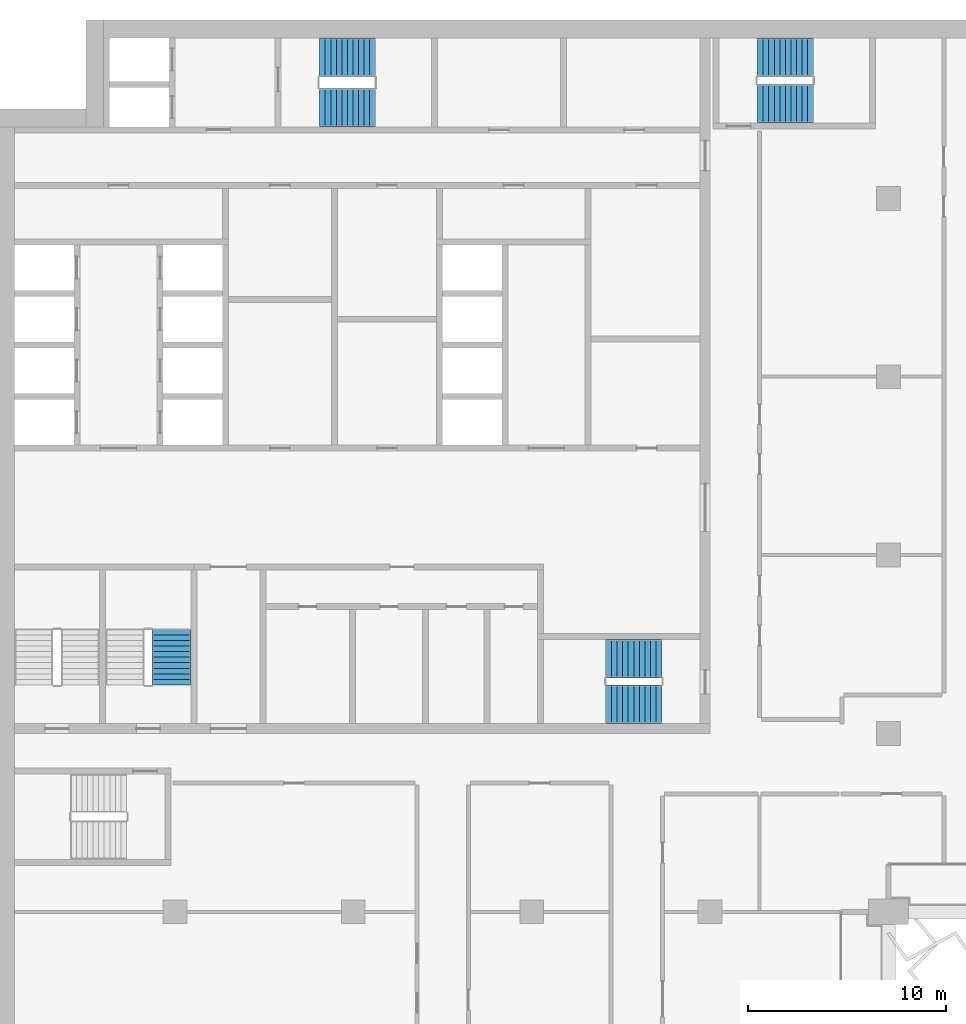
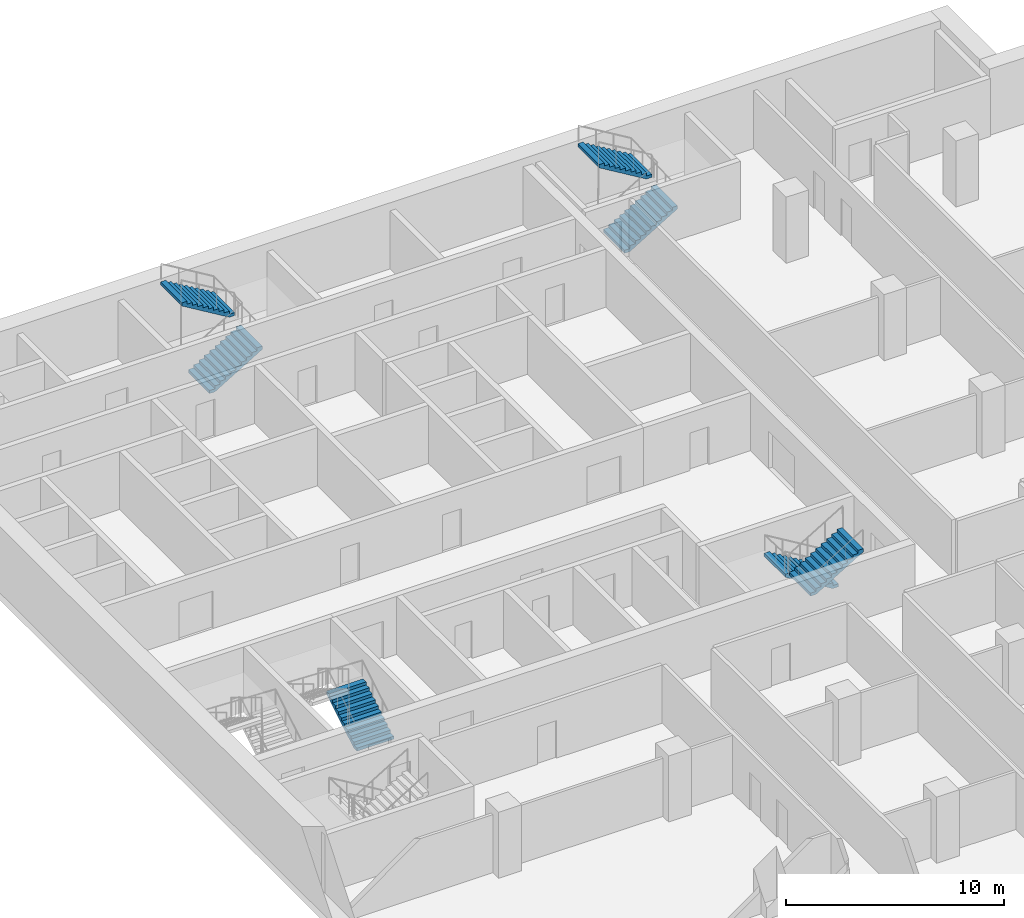
# One storey, part 17 of 22: 7 stair flights, 4 elements without a shape of their own.
"""IFC4 building model written with IfcOpenShell, lengths in metres."""

from ifc_helpers import new_model, si_unit, direction, frame, origin, place, context, subcontext, project, spatial, polyline, outline, extrude, material, type_object, element, aggregate, save


model = new_model("IFC4")

# Units and contexts
model_context = context("Model", 3, precision=1e-05, world=origin(), true_north=direction((0.0, 1.0)))
body_context = subcontext(model_context, "Body", "Model", "MODEL_VIEW")
ifc_project = project(units=[si_unit("LENGTHUNIT", "METRE"), si_unit("AREAUNIT", "SQUARE_METRE"), si_unit("VOLUMEUNIT", "CUBIC_METRE"), si_unit("PLANEANGLEUNIT", "RADIAN"), si_unit("MASSUNIT", "GRAM", prefix="KILO")], contexts=[model_context])

# Site, building, storey
site_placement = place(None, origin())
site = spatial("IfcSite", under=ifc_project, at=site_placement, CompositionType="ELEMENT")
building_placement = place(site_placement, origin())
building = spatial("IfcBuilding", under=site, at=building_placement, Name="Hunhe Ridgeline Campus", CompositionType="ELEMENT")
storey_placement = place(building_placement, frame((0.0, 0.0, 174.5)))
storey = spatial("IfcBuildingStorey", under=building, at=storey_placement, Name="L44", CompositionType="ELEMENT", Elevation=174.5)

# Stair, stair flights
ifc_material = material(Name="Concrete C40", Category="concrete")
stair_type = type_object("IfcStairType", Name="Reinforced concrete dog-leg stair 1950 Concrete C40", PredefinedType="HALF_TURN_STAIR", material=ifc_material)
stair_1_placement = place(storey_placement, origin())
stair_1 = element("IfcStair", 1, at=stair_1_placement, inside=storey, type_object=stair_type, Name="L44 S1", PredefinedType="HALF_TURN_STAIR")
stair_flight_type = type_object("IfcStairFlightType", Name="Reinforced concrete stair flight 1950 Concrete C40", PredefinedType="STRAIGHT", material=ifc_material)
stair_flight_1_placement = place(storey_placement, frame((16.300048828125, 94.574951171875, 0.0), z_axis=(0.0, 0.0, 1.0), x_axis=(1.0, 0.0, 0.0)))
stair_flight_1 = element("IfcStairFlight", 2, at=stair_flight_1_placement, type_object=stair_flight_type, Name="ST1 flight 1", NumberOfRisers=11, NumberOfTreads=10, PredefinedType="STRAIGHT", RiserHeight=0.168181818, TreadLength=0.28, context=body_context, shape_type="SweptSolid", body=[
    extrude(outline(polyline([(0.0, 0.0), (0.0, 0.168212890625), (0.280029296875, 0.168212890625), (0.280029296875, 0.33642578125), (0.56005859375, 0.33642578125), (0.56005859375, 0.504638671875), (0.840087890625, 0.504638671875), (0.840087890625, 0.672607421875), (1.1201171875, 0.672607421875), (1.1201171875, 0.8408203125), (1.39990234375, 0.8408203125), (1.39990234375, 1.009033203125), (1.679931640625, 1.009033203125), (1.679931640625, 1.17724609375), (1.9599609375, 1.17724609375), (1.9599609375, 1.345458984375), (2.239990234375, 1.345458984375), (2.239990234375, 1.513671875), (2.52001953125, 1.513671875), (2.52001953125, 1.681884765625), (2.800048828125, 1.681884765625), (2.800048828125, 1.85009765625), (2.800048828125, 1.5068359375), (0.291015625, 0.0), (0.0, 0.0)])), frame((0.0, 0.97509765625, 0.0), z_axis=(0.0, -1.0, 0.0), x_axis=(1.0, 0.0, 0.0)), (0.0, 0.0, 1.0), 1.949951171875),
    extrude(outline(polyline([(0.030029296875, 0.030029296875), (0.030029296875, 0.13818359375), (0.31005859375, 0.13818359375), (0.31005859375, 0.306396484375), (0.590087890625, 0.306396484375), (0.590087890625, 0.474609375), (0.8701171875, 0.474609375), (0.8701171875, 0.642578125), (1.14990234375, 0.642578125), (1.14990234375, 0.810791015625), (1.429931640625, 0.810791015625), (1.429931640625, 0.97900390625), (1.7099609375, 0.97900390625), (1.7099609375, 1.147216796875), (1.989990234375, 1.147216796875), (1.989990234375, 1.3154296875), (2.27001953125, 1.3154296875), (2.27001953125, 1.483642578125), (2.550048828125, 1.483642578125), (2.550048828125, 1.65185546875), (2.77001953125, 1.65185546875), (2.77001953125, 1.52392578125), (0.28271484375, 0.030029296875), (0.030029296875, 0.030029296875)])), frame((0.0, -0.070068359375, 0.0), z_axis=(0.0, -1.0, 0.0), x_axis=(1.0, 0.0, 0.0)), (0.0, 0.0, 1.0), 0.019775390625),
    extrude(outline(polyline([(0.030029296875, 0.030029296875), (0.030029296875, 0.13818359375), (0.31005859375, 0.13818359375), (0.31005859375, 0.306396484375), (0.590087890625, 0.306396484375), (0.590087890625, 0.474609375), (0.8701171875, 0.474609375), (0.8701171875, 0.642578125), (1.14990234375, 0.642578125), (1.14990234375, 0.810791015625), (1.429931640625, 0.810791015625), (1.429931640625, 0.97900390625), (1.7099609375, 0.97900390625), (1.7099609375, 1.147216796875), (1.989990234375, 1.147216796875), (1.989990234375, 1.3154296875), (2.27001953125, 1.3154296875), (2.27001953125, 1.483642578125), (2.550048828125, 1.483642578125), (2.550048828125, 1.65185546875), (2.77001953125, 1.65185546875), (2.77001953125, 1.52392578125), (0.28271484375, 0.030029296875), (0.030029296875, 0.030029296875)])), frame((0.0, 0.010009765625, 0.0), z_axis=(0.0, -1.0, 0.0), x_axis=(1.0, 0.0, 0.0)), (0.0, 0.0, 1.0), 0.019775390625),
    extrude(outline(polyline([(0.030029296875, 0.030029296875), (0.030029296875, 0.13818359375), (0.31005859375, 0.13818359375), (0.31005859375, 0.306396484375), (0.590087890625, 0.306396484375), (0.590087890625, 0.474609375), (0.8701171875, 0.474609375), (0.8701171875, 0.642578125), (1.14990234375, 0.642578125), (1.14990234375, 0.810791015625), (1.429931640625, 0.810791015625), (1.429931640625, 0.97900390625), (1.7099609375, 0.97900390625), (1.7099609375, 1.147216796875), (1.989990234375, 1.147216796875), (1.989990234375, 1.3154296875), (2.27001953125, 1.3154296875), (2.27001953125, 1.483642578125), (2.550048828125, 1.483642578125), (2.550048828125, 1.65185546875), (2.77001953125, 1.65185546875), (2.77001953125, 1.52392578125), (0.28271484375, 0.030029296875), (0.030029296875, 0.030029296875)])), frame((0.0, 0.090087890625, 0.0), z_axis=(0.0, -1.0, 0.0), x_axis=(1.0, 0.0, 0.0)), (0.0, 0.0, 1.0), 0.019775390625),
])
stair_flight_2_placement = place(storey_placement, frame((19.10009765625, 97.125, 1.85009765625), z_axis=(0.0, 0.0, 1.0), x_axis=(-1.0, 0.0, 0.0)))
stair_flight_2 = element("IfcStairFlight", 3, at=stair_flight_2_placement, type_object=stair_flight_type, Name="ST1 flight 2", NumberOfRisers=11, NumberOfTreads=10, PredefinedType="STRAIGHT", RiserHeight=0.168181818, TreadLength=0.28, context=body_context, shape_type="SweptSolid", body=[
    extrude(outline(polyline([(0.0, 0.0), (0.0, 0.168212890625), (0.280029296875, 0.168212890625), (0.280029296875, 0.33642578125), (0.56005859375, 0.33642578125), (0.56005859375, 0.504638671875), (0.840087890625, 0.504638671875), (0.840087890625, 0.672607421875), (1.1201171875, 0.672607421875), (1.1201171875, 0.8408203125), (1.39990234375, 0.8408203125), (1.39990234375, 1.009033203125), (1.679931640625, 1.009033203125), (1.679931640625, 1.17724609375), (1.9599609375, 1.17724609375), (1.9599609375, 1.345458984375), (2.239990234375, 1.345458984375), (2.239990234375, 1.513671875), (2.52001953125, 1.513671875), (2.52001953125, 1.681884765625), (2.800048828125, 1.681884765625), (2.800048828125, 1.85009765625), (2.800048828125, 1.5068359375), (0.291015625, 0.0), (0.0, 0.0)])), frame((0.0, 0.97509765625, 0.0), z_axis=(0.0, -1.0, 0.0), x_axis=(1.0, 0.0, 0.0)), (0.0, 0.0, 1.0), 1.949951171875),
    extrude(outline(polyline([(0.030029296875, 0.030029296875), (0.030029296875, 0.13818359375), (0.31005859375, 0.13818359375), (0.31005859375, 0.306396484375), (0.590087890625, 0.306396484375), (0.590087890625, 0.474609375), (0.8701171875, 0.474609375), (0.8701171875, 0.642578125), (1.14990234375, 0.642578125), (1.14990234375, 0.810791015625), (1.429931640625, 0.810791015625), (1.429931640625, 0.97900390625), (1.7099609375, 0.97900390625), (1.7099609375, 1.147216796875), (1.989990234375, 1.147216796875), (1.989990234375, 1.3154296875), (2.27001953125, 1.3154296875), (2.27001953125, 1.483642578125), (2.550048828125, 1.483642578125), (2.550048828125, 1.65185546875), (2.77001953125, 1.65185546875), (2.77001953125, 1.52392578125), (0.28271484375, 0.030029296875), (0.030029296875, 0.030029296875)])), frame((0.0, -0.070068359375, 0.0), z_axis=(0.0, -1.0, 0.0), x_axis=(1.0, 0.0, 0.0)), (0.0, 0.0, 1.0), 0.019775390625),
    extrude(outline(polyline([(0.030029296875, 0.030029296875), (0.030029296875, 0.13818359375), (0.31005859375, 0.13818359375), (0.31005859375, 0.306396484375), (0.590087890625, 0.306396484375), (0.590087890625, 0.474609375), (0.8701171875, 0.474609375), (0.8701171875, 0.642578125), (1.14990234375, 0.642578125), (1.14990234375, 0.810791015625), (1.429931640625, 0.810791015625), (1.429931640625, 0.97900390625), (1.7099609375, 0.97900390625), (1.7099609375, 1.147216796875), (1.989990234375, 1.147216796875), (1.989990234375, 1.3154296875), (2.27001953125, 1.3154296875), (2.27001953125, 1.483642578125), (2.550048828125, 1.483642578125), (2.550048828125, 1.65185546875), (2.77001953125, 1.65185546875), (2.77001953125, 1.52392578125), (0.28271484375, 0.030029296875), (0.030029296875, 0.030029296875)])), frame((0.0, 0.010009765625, 0.0), z_axis=(0.0, -1.0, 0.0), x_axis=(1.0, 0.0, 0.0)), (0.0, 0.0, 1.0), 0.019775390625),
    extrude(outline(polyline([(0.030029296875, 0.030029296875), (0.030029296875, 0.13818359375), (0.31005859375, 0.13818359375), (0.31005859375, 0.306396484375), (0.590087890625, 0.306396484375), (0.590087890625, 0.474609375), (0.8701171875, 0.474609375), (0.8701171875, 0.642578125), (1.14990234375, 0.642578125), (1.14990234375, 0.810791015625), (1.429931640625, 0.810791015625), (1.429931640625, 0.97900390625), (1.7099609375, 0.97900390625), (1.7099609375, 1.147216796875), (1.989990234375, 1.147216796875), (1.989990234375, 1.3154296875), (2.27001953125, 1.3154296875), (2.27001953125, 1.483642578125), (2.550048828125, 1.483642578125), (2.550048828125, 1.65185546875), (2.77001953125, 1.65185546875), (2.77001953125, 1.52392578125), (0.28271484375, 0.030029296875), (0.030029296875, 0.030029296875)])), frame((0.0, 0.090087890625, 0.0), z_axis=(0.0, -1.0, 0.0), x_axis=(1.0, 0.0, 0.0)), (0.0, 0.0, 1.0), 0.019775390625),
])
aggregate(stair_1, [stair_flight_1, stair_flight_2])

stair_2_placement = place(storey_placement, origin())
stair_2 = element("IfcStair", 4, at=stair_2_placement, inside=storey, type_object=stair_type, Name="L44 S2", PredefinedType="HALF_TURN_STAIR")
stair_flight_3_placement = place(storey_placement, frame((33.550048828125, 66.77490234375, 0.0), z_axis=(0.0, 0.0, 1.0), x_axis=(-1.0, 0.0, 0.0)))
stair_flight_3 = element("IfcStairFlight", 5, at=stair_flight_3_placement, type_object=stair_flight_type, Name="ST2 flight 1", NumberOfRisers=11, NumberOfTreads=10, PredefinedType="STRAIGHT", RiserHeight=0.168181818, TreadLength=0.28, context=body_context, shape_type="SweptSolid", body=[
    extrude(outline(polyline([(0.0, 0.0), (0.0, 0.168212890625), (0.280029296875, 0.168212890625), (0.280029296875, 0.33642578125), (0.56005859375, 0.33642578125), (0.56005859375, 0.504638671875), (0.840087890625, 0.504638671875), (0.840087890625, 0.672607421875), (1.1201171875, 0.672607421875), (1.1201171875, 0.8408203125), (1.39990234375, 0.8408203125), (1.39990234375, 1.009033203125), (1.679931640625, 1.009033203125), (1.679931640625, 1.17724609375), (1.9599609375, 1.17724609375), (1.9599609375, 1.345458984375), (2.239990234375, 1.345458984375), (2.239990234375, 1.513671875), (2.52001953125, 1.513671875), (2.52001953125, 1.681884765625), (2.800048828125, 1.681884765625), (2.800048828125, 1.85009765625), (2.800048828125, 1.5068359375), (0.291015625, 0.0), (0.0, 0.0)])), frame((0.0, 0.97509765625, 0.0), z_axis=(0.0, -1.0, 0.0), x_axis=(1.0, 0.0, 0.0)), (0.0, 0.0, 1.0), 1.949951171875),
    extrude(outline(polyline([(0.030029296875, 0.030029296875), (0.030029296875, 0.13818359375), (0.31005859375, 0.13818359375), (0.31005859375, 0.306396484375), (0.590087890625, 0.306396484375), (0.590087890625, 0.474609375), (0.8701171875, 0.474609375), (0.8701171875, 0.642578125), (1.14990234375, 0.642578125), (1.14990234375, 0.810791015625), (1.429931640625, 0.810791015625), (1.429931640625, 0.97900390625), (1.7099609375, 0.97900390625), (1.7099609375, 1.147216796875), (1.989990234375, 1.147216796875), (1.989990234375, 1.3154296875), (2.27001953125, 1.3154296875), (2.27001953125, 1.483642578125), (2.550048828125, 1.483642578125), (2.550048828125, 1.65185546875), (2.77001953125, 1.65185546875), (2.77001953125, 1.52392578125), (0.28271484375, 0.030029296875), (0.030029296875, 0.030029296875)])), frame((0.0, -0.070068359375, 0.0), z_axis=(0.0, -1.0, 0.0), x_axis=(1.0, 0.0, 0.0)), (0.0, 0.0, 1.0), 0.019775390625),
    extrude(outline(polyline([(0.030029296875, 0.030029296875), (0.030029296875, 0.13818359375), (0.31005859375, 0.13818359375), (0.31005859375, 0.306396484375), (0.590087890625, 0.306396484375), (0.590087890625, 0.474609375), (0.8701171875, 0.474609375), (0.8701171875, 0.642578125), (1.14990234375, 0.642578125), (1.14990234375, 0.810791015625), (1.429931640625, 0.810791015625), (1.429931640625, 0.97900390625), (1.7099609375, 0.97900390625), (1.7099609375, 1.147216796875), (1.989990234375, 1.147216796875), (1.989990234375, 1.3154296875), (2.27001953125, 1.3154296875), (2.27001953125, 1.483642578125), (2.550048828125, 1.483642578125), (2.550048828125, 1.65185546875), (2.77001953125, 1.65185546875), (2.77001953125, 1.52392578125), (0.28271484375, 0.030029296875), (0.030029296875, 0.030029296875)])), frame((0.0, 0.010009765625, 0.0), z_axis=(0.0, -1.0, 0.0), x_axis=(1.0, 0.0, 0.0)), (0.0, 0.0, 1.0), 0.019775390625),
    extrude(outline(polyline([(0.030029296875, 0.030029296875), (0.030029296875, 0.13818359375), (0.31005859375, 0.13818359375), (0.31005859375, 0.306396484375), (0.590087890625, 0.306396484375), (0.590087890625, 0.474609375), (0.8701171875, 0.474609375), (0.8701171875, 0.642578125), (1.14990234375, 0.642578125), (1.14990234375, 0.810791015625), (1.429931640625, 0.810791015625), (1.429931640625, 0.97900390625), (1.7099609375, 0.97900390625), (1.7099609375, 1.147216796875), (1.989990234375, 1.147216796875), (1.989990234375, 1.3154296875), (2.27001953125, 1.3154296875), (2.27001953125, 1.483642578125), (2.550048828125, 1.483642578125), (2.550048828125, 1.65185546875), (2.77001953125, 1.65185546875), (2.77001953125, 1.52392578125), (0.28271484375, 0.030029296875), (0.030029296875, 0.030029296875)])), frame((0.0, 0.090087890625, 0.0), z_axis=(0.0, -1.0, 0.0), x_axis=(1.0, 0.0, 0.0)), (0.0, 0.0, 1.0), 0.019775390625),
])
stair_flight_4_placement = place(storey_placement, frame((30.75, 64.47509765625, 1.85009765625), z_axis=(0.0, 0.0, 1.0), x_axis=(1.0, 0.0, 0.0)))
stair_flight_4 = element("IfcStairFlight", 6, at=stair_flight_4_placement, type_object=stair_flight_type, Name="ST2 flight 2", NumberOfRisers=11, NumberOfTreads=10, PredefinedType="STRAIGHT", RiserHeight=0.168181818, TreadLength=0.28, context=body_context, shape_type="SweptSolid", body=[
    extrude(outline(polyline([(0.0, 0.0), (0.0, 0.168212890625), (0.280029296875, 0.168212890625), (0.280029296875, 0.33642578125), (0.56005859375, 0.33642578125), (0.56005859375, 0.504638671875), (0.840087890625, 0.504638671875), (0.840087890625, 0.672607421875), (1.1201171875, 0.672607421875), (1.1201171875, 0.8408203125), (1.39990234375, 0.8408203125), (1.39990234375, 1.009033203125), (1.679931640625, 1.009033203125), (1.679931640625, 1.17724609375), (1.9599609375, 1.17724609375), (1.9599609375, 1.345458984375), (2.239990234375, 1.345458984375), (2.239990234375, 1.513671875), (2.52001953125, 1.513671875), (2.52001953125, 1.681884765625), (2.800048828125, 1.681884765625), (2.800048828125, 1.85009765625), (2.800048828125, 1.5068359375), (0.291015625, 0.0), (0.0, 0.0)])), frame((0.0, 0.97509765625, 0.0), z_axis=(0.0, -1.0, 0.0), x_axis=(1.0, 0.0, 0.0)), (0.0, 0.0, 1.0), 1.949951171875),
    extrude(outline(polyline([(0.030029296875, 0.030029296875), (0.030029296875, 0.13818359375), (0.31005859375, 0.13818359375), (0.31005859375, 0.306396484375), (0.590087890625, 0.306396484375), (0.590087890625, 0.474609375), (0.8701171875, 0.474609375), (0.8701171875, 0.642578125), (1.14990234375, 0.642578125), (1.14990234375, 0.810791015625), (1.429931640625, 0.810791015625), (1.429931640625, 0.97900390625), (1.7099609375, 0.97900390625), (1.7099609375, 1.147216796875), (1.989990234375, 1.147216796875), (1.989990234375, 1.3154296875), (2.27001953125, 1.3154296875), (2.27001953125, 1.483642578125), (2.550048828125, 1.483642578125), (2.550048828125, 1.65185546875), (2.77001953125, 1.65185546875), (2.77001953125, 1.52392578125), (0.28271484375, 0.030029296875), (0.030029296875, 0.030029296875)])), frame((0.0, -0.070068359375, 0.0), z_axis=(0.0, -1.0, 0.0), x_axis=(1.0, 0.0, 0.0)), (0.0, 0.0, 1.0), 0.019775390625),
    extrude(outline(polyline([(0.030029296875, 0.030029296875), (0.030029296875, 0.13818359375), (0.31005859375, 0.13818359375), (0.31005859375, 0.306396484375), (0.590087890625, 0.306396484375), (0.590087890625, 0.474609375), (0.8701171875, 0.474609375), (0.8701171875, 0.642578125), (1.14990234375, 0.642578125), (1.14990234375, 0.810791015625), (1.429931640625, 0.810791015625), (1.429931640625, 0.97900390625), (1.7099609375, 0.97900390625), (1.7099609375, 1.147216796875), (1.989990234375, 1.147216796875), (1.989990234375, 1.3154296875), (2.27001953125, 1.3154296875), (2.27001953125, 1.483642578125), (2.550048828125, 1.483642578125), (2.550048828125, 1.65185546875), (2.77001953125, 1.65185546875), (2.77001953125, 1.52392578125), (0.28271484375, 0.030029296875), (0.030029296875, 0.030029296875)])), frame((0.0, 0.010009765625, 0.0), z_axis=(0.0, -1.0, 0.0), x_axis=(1.0, 0.0, 0.0)), (0.0, 0.0, 1.0), 0.019775390625),
    extrude(outline(polyline([(0.030029296875, 0.030029296875), (0.030029296875, 0.13818359375), (0.31005859375, 0.13818359375), (0.31005859375, 0.306396484375), (0.590087890625, 0.306396484375), (0.590087890625, 0.474609375), (0.8701171875, 0.474609375), (0.8701171875, 0.642578125), (1.14990234375, 0.642578125), (1.14990234375, 0.810791015625), (1.429931640625, 0.810791015625), (1.429931640625, 0.97900390625), (1.7099609375, 0.97900390625), (1.7099609375, 1.147216796875), (1.989990234375, 1.147216796875), (1.989990234375, 1.3154296875), (2.27001953125, 1.3154296875), (2.27001953125, 1.483642578125), (2.550048828125, 1.483642578125), (2.550048828125, 1.65185546875), (2.77001953125, 1.65185546875), (2.77001953125, 1.52392578125), (0.28271484375, 0.030029296875), (0.030029296875, 0.030029296875)])), frame((0.0, 0.090087890625, 0.0), z_axis=(0.0, -1.0, 0.0), x_axis=(1.0, 0.0, 0.0)), (0.0, 0.0, 1.0), 0.019775390625),
])
aggregate(stair_2, [stair_flight_3, stair_flight_4])

# Stair, stair flight
stair_3_placement = place(storey_placement, origin())
stair_3 = element("IfcStair", 7, at=stair_3_placement, inside=storey, type_object=stair_type, Name="L44 S4", PredefinedType="HALF_TURN_STAIR")
stair_flight_5_placement = place(storey_placement, frame((8.824951171875, 65.449951171875, 0.0), z_axis=(0.0, 0.0, 1.0), x_axis=(0.0, 1.0, 0.0)))
stair_flight_5 = element("IfcStairFlight", 8, at=stair_flight_5_placement, type_object=stair_flight_type, Name="ST4 flight 1", NumberOfRisers=11, NumberOfTreads=10, PredefinedType="STRAIGHT", RiserHeight=0.168181818, TreadLength=0.28, context=body_context, shape_type="SweptSolid", body=[
    extrude(outline(polyline([(0.0, 0.0), (0.0, 0.168212890625), (0.280029296875, 0.168212890625), (0.280029296875, 0.33642578125), (0.56005859375, 0.33642578125), (0.56005859375, 0.504638671875), (0.840087890625, 0.504638671875), (0.840087890625, 0.672607421875), (1.1201171875, 0.672607421875), (1.1201171875, 0.8408203125), (1.39990234375, 0.8408203125), (1.39990234375, 1.009033203125), (1.679931640625, 1.009033203125), (1.679931640625, 1.17724609375), (1.9599609375, 1.17724609375), (1.9599609375, 1.345458984375), (2.239990234375, 1.345458984375), (2.239990234375, 1.513671875), (2.52001953125, 1.513671875), (2.52001953125, 1.681884765625), (2.800048828125, 1.681884765625), (2.800048828125, 1.85009765625), (2.800048828125, 1.5068359375), (0.291015625, 0.0), (0.0, 0.0)])), frame((0.0, 0.97509765625, 0.0), z_axis=(0.0, -1.0, 0.0), x_axis=(1.0, 0.0, 0.0)), (0.0, 0.0, 1.0), 1.949951171875),
    extrude(outline(polyline([(0.030029296875, 0.030029296875), (0.030029296875, 0.13818359375), (0.31005859375, 0.13818359375), (0.31005859375, 0.306396484375), (0.590087890625, 0.306396484375), (0.590087890625, 0.474609375), (0.8701171875, 0.474609375), (0.8701171875, 0.642578125), (1.14990234375, 0.642578125), (1.14990234375, 0.810791015625), (1.429931640625, 0.810791015625), (1.429931640625, 0.97900390625), (1.7099609375, 0.97900390625), (1.7099609375, 1.147216796875), (1.989990234375, 1.147216796875), (1.989990234375, 1.3154296875), (2.27001953125, 1.3154296875), (2.27001953125, 1.483642578125), (2.550048828125, 1.483642578125), (2.550048828125, 1.65185546875), (2.77001953125, 1.65185546875), (2.77001953125, 1.52392578125), (0.28271484375, 0.030029296875), (0.030029296875, 0.030029296875)])), frame((0.0, -0.070068359375, 0.0), z_axis=(0.0, -1.0, 0.0), x_axis=(1.0, 0.0, 0.0)), (0.0, 0.0, 1.0), 0.019775390625),
    extrude(outline(polyline([(0.030029296875, 0.030029296875), (0.030029296875, 0.13818359375), (0.31005859375, 0.13818359375), (0.31005859375, 0.306396484375), (0.590087890625, 0.306396484375), (0.590087890625, 0.474609375), (0.8701171875, 0.474609375), (0.8701171875, 0.642578125), (1.14990234375, 0.642578125), (1.14990234375, 0.810791015625), (1.429931640625, 0.810791015625), (1.429931640625, 0.97900390625), (1.7099609375, 0.97900390625), (1.7099609375, 1.147216796875), (1.989990234375, 1.147216796875), (1.989990234375, 1.3154296875), (2.27001953125, 1.3154296875), (2.27001953125, 1.483642578125), (2.550048828125, 1.483642578125), (2.550048828125, 1.65185546875), (2.77001953125, 1.65185546875), (2.77001953125, 1.52392578125), (0.28271484375, 0.030029296875), (0.030029296875, 0.030029296875)])), frame((0.0, 0.010009765625, 0.0), z_axis=(0.0, -1.0, 0.0), x_axis=(1.0, 0.0, 0.0)), (0.0, 0.0, 1.0), 0.019775390625),
    extrude(outline(polyline([(0.030029296875, 0.030029296875), (0.030029296875, 0.13818359375), (0.31005859375, 0.13818359375), (0.31005859375, 0.306396484375), (0.590087890625, 0.306396484375), (0.590087890625, 0.474609375), (0.8701171875, 0.474609375), (0.8701171875, 0.642578125), (1.14990234375, 0.642578125), (1.14990234375, 0.810791015625), (1.429931640625, 0.810791015625), (1.429931640625, 0.97900390625), (1.7099609375, 0.97900390625), (1.7099609375, 1.147216796875), (1.989990234375, 1.147216796875), (1.989990234375, 1.3154296875), (2.27001953125, 1.3154296875), (2.27001953125, 1.483642578125), (2.550048828125, 1.483642578125), (2.550048828125, 1.65185546875), (2.77001953125, 1.65185546875), (2.77001953125, 1.52392578125), (0.28271484375, 0.030029296875), (0.030029296875, 0.030029296875)])), frame((0.0, 0.090087890625, 0.0), z_axis=(0.0, -1.0, 0.0), x_axis=(1.0, 0.0, 0.0)), (0.0, 0.0, 1.0), 0.019775390625),
])
aggregate(stair_3, [stair_flight_5])

# Stair, stair flights
stair_4_placement = place(storey_placement, origin())
stair_4 = element("IfcStair", 9, at=stair_4_placement, inside=storey, type_object=stair_type, Name="L44 E1", PredefinedType="HALF_TURN_STAIR")
stair_flight_6_placement = place(storey_placement, frame((38.39990234375, 94.77490234375, 0.0), z_axis=(0.0, 0.0, 1.0), x_axis=(1.0, 0.0, 0.0)))
stair_flight_6 = element("IfcStairFlight", 10, at=stair_flight_6_placement, type_object=stair_flight_type, Name="ST5 flight 1", NumberOfRisers=11, NumberOfTreads=10, PredefinedType="STRAIGHT", RiserHeight=0.168181818, TreadLength=0.28, context=body_context, shape_type="SweptSolid", body=[
    extrude(outline(polyline([(0.0, 0.0), (0.0, 0.168212890625), (0.280029296875, 0.168212890625), (0.280029296875, 0.33642578125), (0.56005859375, 0.33642578125), (0.56005859375, 0.504638671875), (0.840087890625, 0.504638671875), (0.840087890625, 0.672607421875), (1.1201171875, 0.672607421875), (1.1201171875, 0.8408203125), (1.39990234375, 0.8408203125), (1.39990234375, 1.009033203125), (1.679931640625, 1.009033203125), (1.679931640625, 1.17724609375), (1.9599609375, 1.17724609375), (1.9599609375, 1.345458984375), (2.239990234375, 1.345458984375), (2.239990234375, 1.513671875), (2.52001953125, 1.513671875), (2.52001953125, 1.681884765625), (2.800048828125, 1.681884765625), (2.800048828125, 1.85009765625), (2.800048828125, 1.5068359375), (0.291015625, 0.0), (0.0, 0.0)])), frame((0.0, 0.97509765625, 0.0), z_axis=(0.0, -1.0, 0.0), x_axis=(1.0, 0.0, 0.0)), (0.0, 0.0, 1.0), 1.949951171875),
    extrude(outline(polyline([(0.030029296875, 0.030029296875), (0.030029296875, 0.13818359375), (0.31005859375, 0.13818359375), (0.31005859375, 0.306396484375), (0.590087890625, 0.306396484375), (0.590087890625, 0.474609375), (0.8701171875, 0.474609375), (0.8701171875, 0.642578125), (1.14990234375, 0.642578125), (1.14990234375, 0.810791015625), (1.429931640625, 0.810791015625), (1.429931640625, 0.97900390625), (1.7099609375, 0.97900390625), (1.7099609375, 1.147216796875), (1.989990234375, 1.147216796875), (1.989990234375, 1.3154296875), (2.27001953125, 1.3154296875), (2.27001953125, 1.483642578125), (2.550048828125, 1.483642578125), (2.550048828125, 1.65185546875), (2.77001953125, 1.65185546875), (2.77001953125, 1.52392578125), (0.28271484375, 0.030029296875), (0.030029296875, 0.030029296875)])), frame((0.0, -0.070068359375, 0.0), z_axis=(0.0, -1.0, 0.0), x_axis=(1.0, 0.0, 0.0)), (0.0, 0.0, 1.0), 0.019775390625),
    extrude(outline(polyline([(0.030029296875, 0.030029296875), (0.030029296875, 0.13818359375), (0.31005859375, 0.13818359375), (0.31005859375, 0.306396484375), (0.590087890625, 0.306396484375), (0.590087890625, 0.474609375), (0.8701171875, 0.474609375), (0.8701171875, 0.642578125), (1.14990234375, 0.642578125), (1.14990234375, 0.810791015625), (1.429931640625, 0.810791015625), (1.429931640625, 0.97900390625), (1.7099609375, 0.97900390625), (1.7099609375, 1.147216796875), (1.989990234375, 1.147216796875), (1.989990234375, 1.3154296875), (2.27001953125, 1.3154296875), (2.27001953125, 1.483642578125), (2.550048828125, 1.483642578125), (2.550048828125, 1.65185546875), (2.77001953125, 1.65185546875), (2.77001953125, 1.52392578125), (0.28271484375, 0.030029296875), (0.030029296875, 0.030029296875)])), frame((0.0, 0.010009765625, 0.0), z_axis=(0.0, -1.0, 0.0), x_axis=(1.0, 0.0, 0.0)), (0.0, 0.0, 1.0), 0.019775390625),
    extrude(outline(polyline([(0.030029296875, 0.030029296875), (0.030029296875, 0.13818359375), (0.31005859375, 0.13818359375), (0.31005859375, 0.306396484375), (0.590087890625, 0.306396484375), (0.590087890625, 0.474609375), (0.8701171875, 0.474609375), (0.8701171875, 0.642578125), (1.14990234375, 0.642578125), (1.14990234375, 0.810791015625), (1.429931640625, 0.810791015625), (1.429931640625, 0.97900390625), (1.7099609375, 0.97900390625), (1.7099609375, 1.147216796875), (1.989990234375, 1.147216796875), (1.989990234375, 1.3154296875), (2.27001953125, 1.3154296875), (2.27001953125, 1.483642578125), (2.550048828125, 1.483642578125), (2.550048828125, 1.65185546875), (2.77001953125, 1.65185546875), (2.77001953125, 1.52392578125), (0.28271484375, 0.030029296875), (0.030029296875, 0.030029296875)])), frame((0.0, 0.090087890625, 0.0), z_axis=(0.0, -1.0, 0.0), x_axis=(1.0, 0.0, 0.0)), (0.0, 0.0, 1.0), 0.019775390625),
])
stair_flight_7_placement = place(storey_placement, frame((41.199951171875, 97.125, 1.85009765625), z_axis=(0.0, 0.0, 1.0), x_axis=(-1.0, 0.0, 0.0)))
stair_flight_7 = element("IfcStairFlight", 11, at=stair_flight_7_placement, type_object=stair_flight_type, Name="ST5 flight 2", NumberOfRisers=11, NumberOfTreads=10, PredefinedType="STRAIGHT", RiserHeight=0.168181818, TreadLength=0.28, context=body_context, shape_type="SweptSolid", body=[
    extrude(outline(polyline([(0.0, 0.0), (0.0, 0.168212890625), (0.280029296875, 0.168212890625), (0.280029296875, 0.33642578125), (0.56005859375, 0.33642578125), (0.56005859375, 0.504638671875), (0.840087890625, 0.504638671875), (0.840087890625, 0.672607421875), (1.1201171875, 0.672607421875), (1.1201171875, 0.8408203125), (1.39990234375, 0.8408203125), (1.39990234375, 1.009033203125), (1.679931640625, 1.009033203125), (1.679931640625, 1.17724609375), (1.9599609375, 1.17724609375), (1.9599609375, 1.345458984375), (2.239990234375, 1.345458984375), (2.239990234375, 1.513671875), (2.52001953125, 1.513671875), (2.52001953125, 1.681884765625), (2.800048828125, 1.681884765625), (2.800048828125, 1.85009765625), (2.800048828125, 1.5068359375), (0.291015625, 0.0), (0.0, 0.0)])), frame((0.0, 0.97509765625, 0.0), z_axis=(0.0, -1.0, 0.0), x_axis=(1.0, 0.0, 0.0)), (0.0, 0.0, 1.0), 1.949951171875),
    extrude(outline(polyline([(0.030029296875, 0.030029296875), (0.030029296875, 0.13818359375), (0.31005859375, 0.13818359375), (0.31005859375, 0.306396484375), (0.590087890625, 0.306396484375), (0.590087890625, 0.474609375), (0.8701171875, 0.474609375), (0.8701171875, 0.642578125), (1.14990234375, 0.642578125), (1.14990234375, 0.810791015625), (1.429931640625, 0.810791015625), (1.429931640625, 0.97900390625), (1.7099609375, 0.97900390625), (1.7099609375, 1.147216796875), (1.989990234375, 1.147216796875), (1.989990234375, 1.3154296875), (2.27001953125, 1.3154296875), (2.27001953125, 1.483642578125), (2.550048828125, 1.483642578125), (2.550048828125, 1.65185546875), (2.77001953125, 1.65185546875), (2.77001953125, 1.52392578125), (0.28271484375, 0.030029296875), (0.030029296875, 0.030029296875)])), frame((0.0, -0.070068359375, 0.0), z_axis=(0.0, -1.0, 0.0), x_axis=(1.0, 0.0, 0.0)), (0.0, 0.0, 1.0), 0.019775390625),
    extrude(outline(polyline([(0.030029296875, 0.030029296875), (0.030029296875, 0.13818359375), (0.31005859375, 0.13818359375), (0.31005859375, 0.306396484375), (0.590087890625, 0.306396484375), (0.590087890625, 0.474609375), (0.8701171875, 0.474609375), (0.8701171875, 0.642578125), (1.14990234375, 0.642578125), (1.14990234375, 0.810791015625), (1.429931640625, 0.810791015625), (1.429931640625, 0.97900390625), (1.7099609375, 0.97900390625), (1.7099609375, 1.147216796875), (1.989990234375, 1.147216796875), (1.989990234375, 1.3154296875), (2.27001953125, 1.3154296875), (2.27001953125, 1.483642578125), (2.550048828125, 1.483642578125), (2.550048828125, 1.65185546875), (2.77001953125, 1.65185546875), (2.77001953125, 1.52392578125), (0.28271484375, 0.030029296875), (0.030029296875, 0.030029296875)])), frame((0.0, 0.010009765625, 0.0), z_axis=(0.0, -1.0, 0.0), x_axis=(1.0, 0.0, 0.0)), (0.0, 0.0, 1.0), 0.019775390625),
    extrude(outline(polyline([(0.030029296875, 0.030029296875), (0.030029296875, 0.13818359375), (0.31005859375, 0.13818359375), (0.31005859375, 0.306396484375), (0.590087890625, 0.306396484375), (0.590087890625, 0.474609375), (0.8701171875, 0.474609375), (0.8701171875, 0.642578125), (1.14990234375, 0.642578125), (1.14990234375, 0.810791015625), (1.429931640625, 0.810791015625), (1.429931640625, 0.97900390625), (1.7099609375, 0.97900390625), (1.7099609375, 1.147216796875), (1.989990234375, 1.147216796875), (1.989990234375, 1.3154296875), (2.27001953125, 1.3154296875), (2.27001953125, 1.483642578125), (2.550048828125, 1.483642578125), (2.550048828125, 1.65185546875), (2.77001953125, 1.65185546875), (2.77001953125, 1.52392578125), (0.28271484375, 0.030029296875), (0.030029296875, 0.030029296875)])), frame((0.0, 0.090087890625, 0.0), z_axis=(0.0, -1.0, 0.0), x_axis=(1.0, 0.0, 0.0)), (0.0, 0.0, 1.0), 0.019775390625),
])
aggregate(stair_4, [stair_flight_6, stair_flight_7])

save(model, "model.ifc")
